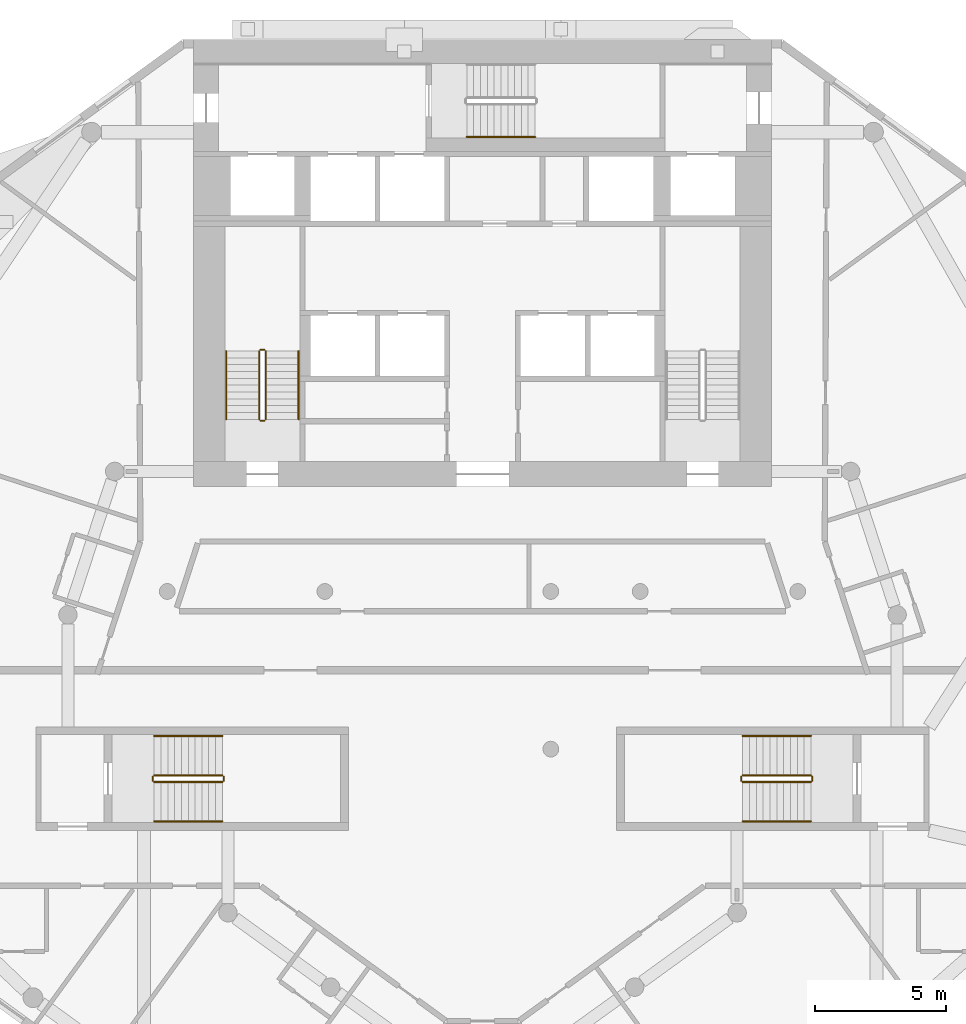
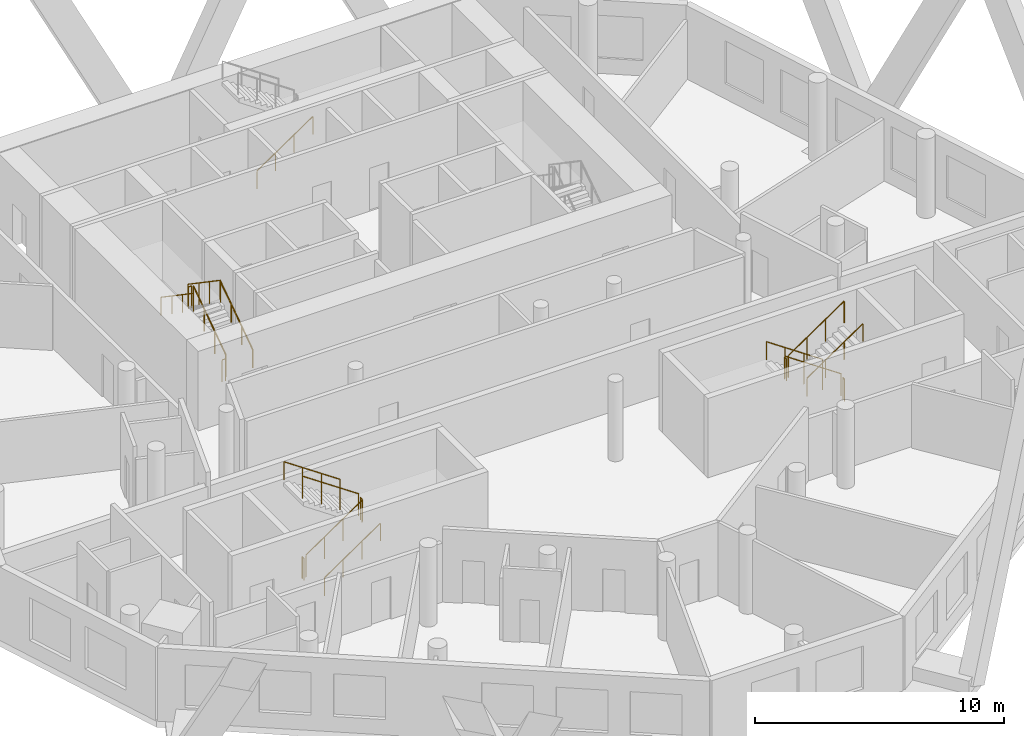
# One storey, part 9 of 10: 19 railings.
"""IFC4 building model written with IfcOpenShell, lengths in metres."""

from ifc_helpers import new_model, si_unit, direction, frame, origin, origin_2d, place, context, subcontext, project, spatial, circle, extrude, material, type_object, element, save


model = new_model("IFC4")

# Units and contexts
model_context = context("Model", 3, precision=1e-05, world=origin(), true_north=direction((0.0, 1.0)))
body_context = subcontext(model_context, "Body", "Model", "MODEL_VIEW")
ifc_project = project(units=[si_unit("LENGTHUNIT", "METRE"), si_unit("AREAUNIT", "SQUARE_METRE"), si_unit("VOLUMEUNIT", "CUBIC_METRE"), si_unit("PLANEANGLEUNIT", "RADIAN"), si_unit("MASSUNIT", "GRAM", prefix="KILO")], contexts=[model_context])

# Site, building, storey
site_placement = place(None, origin())
site = spatial("IfcSite", under=ifc_project, at=site_placement, CompositionType="ELEMENT")
building_placement = place(site_placement, origin())
building = spatial("IfcBuilding", under=site, at=building_placement, Name="White Candle Pilgrim Tower", CompositionType="ELEMENT")
storey_placement = place(building_placement, frame((0.0, 0.0, 172.0)))
storey = spatial("IfcBuildingStorey", under=building, at=storey_placement, Name="L39", CompositionType="ELEMENT", Elevation=172.0)

# Railings
ifc_material = material(Name="Stainless steel", Category="steel")
railing_type_1 = type_object("IfcRailingType", Name="Stair guard stainless steel 1100 mm", PredefinedType="GUARDRAIL", material=ifc_material)
railing_1_placement = place(storey_placement, frame((61.75, 73.550048828125, 0.17724609375)))
element("IfcRailing", 1, at=railing_1_placement, inside=storey, type_object=railing_type_1, Name="L39 ST1 stair guard 1", PredefinedType="GUARDRAIL", context=body_context, shape_type="SweptSolid", body=[
    extrude(circle(Radius=0.02392578125, at=origin_2d()), frame((0.0, 0.0, 1.076171875), z_axis=(0.0, 0.826215852431, 0.563353676824), x_axis=(-1.0, 0.0, 0.0)), (0.0, 0.0, 1.0), 3.146728515625),
    extrude(circle(Radius=0.02099609375, at=origin_2d()), origin(), (0.0, 0.0, 1.0), 1.052001953125),
    extrude(circle(Radius=0.02099609375, at=origin_2d()), frame((0.0, 0.86669921875, 0.5908203125)), (0.0, 0.0, 1.0), 1.052001953125),
    extrude(circle(Radius=0.02099609375, at=origin_2d()), frame((0.0, 1.733154296875, 1.181884765625)), (0.0, 0.0, 1.0), 1.052001953125),
    extrude(circle(Radius=0.02099609375, at=origin_2d()), frame((0.0, 2.599853515625, 1.772705078125)), (0.0, 0.0, 1.0), 1.052001953125),
])
railing_2_placement = place(storey_placement, frame((61.699951171875, 76.199951171875, 1.949951171875)))
element("IfcRailing", 2, at=railing_2_placement, inside=storey, type_object=railing_type_1, Name="L39 ST1 stair guard 2", PredefinedType="GUARDRAIL", context=body_context, shape_type="SweptSolid", body=[
    extrude(circle(Radius=0.02392578125, at=origin_2d()), frame((0.0, 0.0, 1.076171875), z_axis=(-1.0, 0.0, 0.0), x_axis=(0.0, -1.0, 0.0)), (0.0, 0.0, 1.0), 0.14990234375),
    extrude(circle(Radius=0.02099609375, at=origin_2d()), origin(), (0.0, 0.0, 1.0), 1.052001953125),
    extrude(circle(Radius=0.02099609375, at=origin_2d()), frame((-0.14990234375, 0.0, 0.0)), (0.0, 0.0, 1.0), 1.052001953125),
])
railing_3_placement = place(storey_placement, frame((61.5, 76.14990234375, 2.127197265625)))
element("IfcRailing", 3, at=railing_3_placement, inside=storey, type_object=railing_type_1, Name="L39 ST1 stair guard 3", PredefinedType="GUARDRAIL", context=body_context, shape_type="SweptSolid", body=[
    extrude(circle(Radius=0.02392578125, at=origin_2d()), frame((0.0, 0.0, 1.076171875), z_axis=(0.0, -0.826215852431, 0.563353676824), x_axis=(1.0, 0.0, 0.0)), (0.0, 0.0, 1.0), 3.146728515625),
    extrude(circle(Radius=0.02099609375, at=origin_2d()), origin(), (0.0, 0.0, 1.0), 1.052001953125),
    extrude(circle(Radius=0.02099609375, at=origin_2d()), frame((0.0, -0.86669921875, 0.5908203125)), (0.0, 0.0, 1.0), 1.052001953125),
    extrude(circle(Radius=0.02099609375, at=origin_2d()), frame((0.0, -1.733154296875, 1.181884765625)), (0.0, 0.0, 1.0), 1.052001953125),
    extrude(circle(Radius=0.02099609375, at=origin_2d()), frame((0.0, -2.599853515625, 1.772705078125)), (0.0, 0.0, 1.0), 1.052001953125),
])
railing_4_placement = place(storey_placement, frame((61.699951171875, 73.5, 0.0)))
element("IfcRailing", 4, at=railing_4_placement, inside=storey, type_object=railing_type_1, Name="L39 ST1 stair guard 4", PredefinedType="GUARDRAIL", context=body_context, shape_type="SweptSolid", body=[
    extrude(circle(Radius=0.02392578125, at=origin_2d()), frame((0.0, 0.0, 1.076171875), z_axis=(-1.0, 0.0, 0.0), x_axis=(0.0, -1.0, 0.0)), (0.0, 0.0, 1.0), 0.14990234375),
    extrude(circle(Radius=0.02099609375, at=origin_2d()), origin(), (0.0, 0.0, 1.0), 1.052001953125),
    extrude(circle(Radius=0.02099609375, at=origin_2d()), frame((-0.14990234375, 0.0, 0.0)), (0.0, 0.0, 1.0), 1.052001953125),
])
railing_5_placement = place(storey_placement, frame((82.5, 60.0, 0.17724609375)))
element("IfcRailing", 5, at=railing_5_placement, inside=storey, type_object=railing_type_1, Name="L39 ST4 stair guard 1", PredefinedType="GUARDRAIL", context=body_context, shape_type="SweptSolid", body=[
    extrude(circle(Radius=0.02392578125, at=origin_2d()), frame((0.0, 0.0, 1.076171875), z_axis=(-0.826240473404, 0.0, 0.563317565952), x_axis=(0.0, -1.0, 0.0)), (0.0, 0.0, 1.0), 3.14697265625),
    extrude(circle(Radius=0.02099609375, at=origin_2d()), origin(), (0.0, 0.0, 1.0), 1.052001953125),
    extrude(circle(Radius=0.02099609375, at=origin_2d()), frame((-0.86669921875, 0.0, 0.5908203125)), (0.0, 0.0, 1.0), 1.052001953125),
    extrude(circle(Radius=0.02099609375, at=origin_2d()), frame((-1.7333984375, 0.0, 1.181884765625)), (0.0, 0.0, 1.0), 1.052001953125),
    extrude(circle(Radius=0.02099609375, at=origin_2d()), frame((-2.60009765625, 0.0, 1.772705078125)), (0.0, 0.0, 1.0), 1.052001953125),
])
railing_6_placement = place(storey_placement, frame((79.85009765625, 59.949951171875, 1.949951171875)))
element("IfcRailing", 6, at=railing_6_placement, inside=storey, type_object=railing_type_1, Name="L39 ST4 stair guard 2", PredefinedType="GUARDRAIL", context=body_context, shape_type="SweptSolid", body=[
    extrude(circle(Radius=0.02392578125, at=origin_2d()), frame((0.0, 0.0, 1.076171875), z_axis=(0.0, -1.0, 0.0), x_axis=(1.0, 0.0, 0.0)), (0.0, 0.0, 1.0), 0.14990234375),
    extrude(circle(Radius=0.02099609375, at=origin_2d()), origin(), (0.0, 0.0, 1.0), 1.052001953125),
    extrude(circle(Radius=0.02099609375, at=origin_2d()), frame((0.0, -0.14990234375, 0.0)), (0.0, 0.0, 1.0), 1.052001953125),
])
railing_7_placement = place(storey_placement, frame((79.89990234375, 59.75, 2.127197265625)))
element("IfcRailing", 7, at=railing_7_placement, inside=storey, type_object=railing_type_1, Name="L39 ST4 stair guard 3", PredefinedType="GUARDRAIL", context=body_context, shape_type="SweptSolid", body=[
    extrude(circle(Radius=0.02392578125, at=origin_2d()), frame((0.0, 0.0, 1.076171875), z_axis=(0.826240473404, 0.0, 0.563317565952), x_axis=(0.0, 1.0, 0.0)), (0.0, 0.0, 1.0), 3.14697265625),
    extrude(circle(Radius=0.02099609375, at=origin_2d()), origin(), (0.0, 0.0, 1.0), 1.052001953125),
    extrude(circle(Radius=0.02099609375, at=origin_2d()), frame((0.86669921875, 0.0, 0.5908203125)), (0.0, 0.0, 1.0), 1.052001953125),
    extrude(circle(Radius=0.02099609375, at=origin_2d()), frame((1.7333984375, 0.0, 1.181884765625)), (0.0, 0.0, 1.0), 1.052001953125),
    extrude(circle(Radius=0.02099609375, at=origin_2d()), frame((2.60009765625, 0.0, 1.772705078125)), (0.0, 0.0, 1.0), 1.052001953125),
])
railing_8_placement = place(storey_placement, frame((82.550048828125, 59.949951171875, 0.0)))
element("IfcRailing", 8, at=railing_8_placement, inside=storey, type_object=railing_type_1, Name="L39 ST4 stair guard 4", PredefinedType="GUARDRAIL", context=body_context, shape_type="SweptSolid", body=[
    extrude(circle(Radius=0.02392578125, at=origin_2d()), frame((0.0, 0.0, 1.076171875), z_axis=(0.0, -1.0, 0.0), x_axis=(1.0, 0.0, 0.0)), (0.0, 0.0, 1.0), 0.14990234375),
    extrude(circle(Radius=0.02099609375, at=origin_2d()), origin(), (0.0, 0.0, 1.0), 1.052001953125),
    extrude(circle(Radius=0.02099609375, at=origin_2d()), frame((0.0, -0.14990234375, 0.0)), (0.0, 0.0, 1.0), 1.052001953125),
])
railing_9_placement = place(storey_placement, frame((57.5, 59.75, 0.17724609375)))
element("IfcRailing", 9, at=railing_9_placement, inside=storey, type_object=railing_type_1, Name="L39 ST5 stair guard 1", PredefinedType="GUARDRAIL", context=body_context, shape_type="SweptSolid", body=[
    extrude(circle(Radius=0.02392578125, at=origin_2d()), frame((0.0, 0.0, 1.076171875), z_axis=(0.826240473404, 0.0, 0.563317565952), x_axis=(0.0, 1.0, 0.0)), (0.0, 0.0, 1.0), 3.14697265625),
    extrude(circle(Radius=0.02099609375, at=origin_2d()), origin(), (0.0, 0.0, 1.0), 1.052001953125),
    extrude(circle(Radius=0.02099609375, at=origin_2d()), frame((0.86669921875, 0.0, 0.5908203125)), (0.0, 0.0, 1.0), 1.052001953125),
    extrude(circle(Radius=0.02099609375, at=origin_2d()), frame((1.7333984375, 0.0, 1.181884765625)), (0.0, 0.0, 1.0), 1.052001953125),
    extrude(circle(Radius=0.02099609375, at=origin_2d()), frame((2.60009765625, 0.0, 1.772705078125)), (0.0, 0.0, 1.0), 1.052001953125),
])
railing_10_placement = place(storey_placement, frame((60.14990234375, 59.800048828125, 1.949951171875)))
element("IfcRailing", 10, at=railing_10_placement, inside=storey, type_object=railing_type_1, Name="L39 ST5 stair guard 2", PredefinedType="GUARDRAIL", context=body_context, shape_type="SweptSolid", body=[
    extrude(circle(Radius=0.02392578125, at=origin_2d()), frame((0.0, 0.0, 1.076171875), z_axis=(0.0, 1.0, 0.0), x_axis=(-1.0, 0.0, 0.0)), (0.0, 0.0, 1.0), 0.14990234375),
    extrude(circle(Radius=0.02099609375, at=origin_2d()), origin(), (0.0, 0.0, 1.0), 1.052001953125),
    extrude(circle(Radius=0.02099609375, at=origin_2d()), frame((0.0, 0.14990234375, 0.0)), (0.0, 0.0, 1.0), 1.052001953125),
])
railing_11_placement = place(storey_placement, frame((60.10009765625, 60.0, 2.127197265625)))
element("IfcRailing", 11, at=railing_11_placement, inside=storey, type_object=railing_type_1, Name="L39 ST5 stair guard 3", PredefinedType="GUARDRAIL", context=body_context, shape_type="SweptSolid", body=[
    extrude(circle(Radius=0.02392578125, at=origin_2d()), frame((0.0, 0.0, 1.076171875), z_axis=(-0.826240473404, 0.0, 0.563317565952), x_axis=(0.0, -1.0, 0.0)), (0.0, 0.0, 1.0), 3.14697265625),
    extrude(circle(Radius=0.02099609375, at=origin_2d()), origin(), (0.0, 0.0, 1.0), 1.052001953125),
    extrude(circle(Radius=0.02099609375, at=origin_2d()), frame((-0.86669921875, 0.0, 0.5908203125)), (0.0, 0.0, 1.0), 1.052001953125),
    extrude(circle(Radius=0.02099609375, at=origin_2d()), frame((-1.7333984375, 0.0, 1.181884765625)), (0.0, 0.0, 1.0), 1.052001953125),
    extrude(circle(Radius=0.02099609375, at=origin_2d()), frame((-2.60009765625, 0.0, 1.772705078125)), (0.0, 0.0, 1.0), 1.052001953125),
])
railing_12_placement = place(storey_placement, frame((57.449951171875, 59.800048828125, 0.0)))
element("IfcRailing", 12, at=railing_12_placement, inside=storey, type_object=railing_type_1, Name="L39 ST5 stair guard 4", PredefinedType="GUARDRAIL", context=body_context, shape_type="SweptSolid", body=[
    extrude(circle(Radius=0.02392578125, at=origin_2d()), frame((0.0, 0.0, 1.076171875), z_axis=(0.0, 1.0, 0.0), x_axis=(-1.0, 0.0, 0.0)), (0.0, 0.0, 1.0), 0.14990234375),
    extrude(circle(Radius=0.02099609375, at=origin_2d()), origin(), (0.0, 0.0, 1.0), 1.052001953125),
    extrude(circle(Radius=0.02099609375, at=origin_2d()), frame((0.0, 0.14990234375, 0.0)), (0.0, 0.0, 1.0), 1.052001953125),
])
railing_type_2 = type_object("IfcRailingType", Name="Stair handrail stainless steel", PredefinedType="HANDRAIL", material=ifc_material)
railing_13_placement = place(storey_placement, frame((63.0, 73.550048828125, 0.17724609375)))
element("IfcRailing", 13, at=railing_13_placement, inside=storey, type_object=railing_type_2, Name="L39 ST1 stair handrail 1", PredefinedType="HANDRAIL", context=body_context, shape_type="SweptSolid", body=[
    extrude(circle(Radius=0.02392578125, at=origin_2d()), frame((0.0, 0.0, 0.8759765625), z_axis=(0.0, 0.826215852431, 0.563353676824), x_axis=(-1.0, 0.0, 0.0)), (0.0, 0.0, 1.0), 3.146728515625),
    extrude(circle(Radius=0.02099609375, at=origin_2d()), origin(), (0.0, 0.0, 1.0), 0.851806640625),
    extrude(circle(Radius=0.02099609375, at=origin_2d()), frame((0.0, 0.86669921875, 0.5908203125)), (0.0, 0.0, 1.0), 0.851806640625),
    extrude(circle(Radius=0.02099609375, at=origin_2d()), frame((0.0, 1.733154296875, 1.181884765625)), (0.0, 0.0, 1.0), 0.851806640625),
    extrude(circle(Radius=0.02099609375, at=origin_2d()), frame((0.0, 2.599853515625, 1.772705078125)), (0.0, 0.0, 1.0), 0.851806640625),
])
railing_14_placement = place(storey_placement, frame((60.25, 76.14990234375, 2.127197265625)))
element("IfcRailing", 14, at=railing_14_placement, inside=storey, type_object=railing_type_2, Name="L39 ST1 stair handrail 2", PredefinedType="HANDRAIL", context=body_context, shape_type="SweptSolid", body=[
    extrude(circle(Radius=0.02392578125, at=origin_2d()), frame((0.0, 0.0, 0.8759765625), z_axis=(0.0, -0.826215852431, 0.563353676824), x_axis=(1.0, 0.0, 0.0)), (0.0, 0.0, 1.0), 3.146728515625),
    extrude(circle(Radius=0.02099609375, at=origin_2d()), origin(), (0.0, 0.0, 1.0), 0.851806640625),
    extrude(circle(Radius=0.02099609375, at=origin_2d()), frame((0.0, -0.86669921875, 0.5908203125)), (0.0, 0.0, 1.0), 0.851806640625),
    extrude(circle(Radius=0.02099609375, at=origin_2d()), frame((0.0, -1.733154296875, 1.181884765625)), (0.0, 0.0, 1.0), 0.851806640625),
    extrude(circle(Radius=0.02099609375, at=origin_2d()), frame((0.0, -2.599853515625, 1.772705078125)), (0.0, 0.0, 1.0), 0.851806640625),
])
railing_15_placement = place(storey_placement, frame((69.39990234375, 84.300048828125, 0.17724609375)))
element("IfcRailing", 15, at=railing_15_placement, inside=storey, type_object=railing_type_2, Name="L39 ST3 stair handrail 1", PredefinedType="HANDRAIL", context=body_context, shape_type="SweptSolid", body=[
    extrude(circle(Radius=0.02392578125, at=origin_2d()), frame((0.0, 0.0, 0.8759765625), z_axis=(0.826240473404, 0.0, 0.563317565952), x_axis=(0.0, 1.0, 0.0)), (0.0, 0.0, 1.0), 3.14697265625),
    extrude(circle(Radius=0.02099609375, at=origin_2d()), origin(), (0.0, 0.0, 1.0), 0.851806640625),
    extrude(circle(Radius=0.02099609375, at=origin_2d()), frame((0.86669921875, 0.0, 0.5908203125)), (0.0, 0.0, 1.0), 0.851806640625),
    extrude(circle(Radius=0.02099609375, at=origin_2d()), frame((1.7333984375, 0.0, 1.181884765625)), (0.0, 0.0, 1.0), 0.851806640625),
    extrude(circle(Radius=0.02099609375, at=origin_2d()), frame((2.60009765625, 0.0, 1.772705078125)), (0.0, 0.0, 1.0), 0.851806640625),
])
railing_16_placement = place(storey_placement, frame((82.5, 61.5, 0.17724609375)))
element("IfcRailing", 16, at=railing_16_placement, inside=storey, type_object=railing_type_2, Name="L39 ST4 stair handrail 1", PredefinedType="HANDRAIL", context=body_context, shape_type="SweptSolid", body=[
    extrude(circle(Radius=0.02392578125, at=origin_2d()), frame((0.0, 0.0, 0.8759765625), z_axis=(-0.826240473404, 0.0, 0.563317565952), x_axis=(0.0, -1.0, 0.0)), (0.0, 0.0, 1.0), 3.14697265625),
    extrude(circle(Radius=0.02099609375, at=origin_2d()), origin(), (0.0, 0.0, 1.0), 0.851806640625),
    extrude(circle(Radius=0.02099609375, at=origin_2d()), frame((-0.86669921875, 0.0, 0.5908203125)), (0.0, 0.0, 1.0), 0.851806640625),
    extrude(circle(Radius=0.02099609375, at=origin_2d()), frame((-1.7333984375, 0.0, 1.181884765625)), (0.0, 0.0, 1.0), 0.851806640625),
    extrude(circle(Radius=0.02099609375, at=origin_2d()), frame((-2.60009765625, 0.0, 1.772705078125)), (0.0, 0.0, 1.0), 0.851806640625),
])
for number, where, name in (
    (17, (79.89990234375, 58.25, 2.127197265625), "L39 ST4 stair handrail 2"),
    (18, (57.5, 58.25, 0.17724609375), "L39 ST5 stair handrail 1"),
):
    element("IfcRailing", number, at=place(storey_placement, frame(where)), inside=storey, type_object=railing_type_2, Name=name, PredefinedType="HANDRAIL", context=body_context, shape_type="SweptSolid", body=[
        extrude(circle(Radius=0.02392578125, at=origin_2d()), frame((0.0, 0.0, 0.8759765625), z_axis=(0.826240473404, 0.0, 0.563317565952), x_axis=(0.0, 1.0, 0.0)), (0.0, 0.0, 1.0), 3.14697265625),
        extrude(circle(Radius=0.02099609375, at=origin_2d()), origin(), (0.0, 0.0, 1.0), 0.851806640625),
        extrude(circle(Radius=0.02099609375, at=origin_2d()), frame((0.86669921875, 0.0, 0.5908203125)), (0.0, 0.0, 1.0), 0.851806640625),
        extrude(circle(Radius=0.02099609375, at=origin_2d()), frame((1.7333984375, 0.0, 1.181884765625)), (0.0, 0.0, 1.0), 0.851806640625),
        extrude(circle(Radius=0.02099609375, at=origin_2d()), frame((2.60009765625, 0.0, 1.772705078125)), (0.0, 0.0, 1.0), 0.851806640625),
    ])
railing_17_placement = place(storey_placement, frame((60.10009765625, 61.5, 2.127197265625)))
element("IfcRailing", 19, at=railing_17_placement, inside=storey, type_object=railing_type_2, Name="L39 ST5 stair handrail 2", PredefinedType="HANDRAIL", context=body_context, shape_type="SweptSolid", body=[
    extrude(circle(Radius=0.02392578125, at=origin_2d()), frame((0.0, 0.0, 0.8759765625), z_axis=(-0.826240473404, 0.0, 0.563317565952), x_axis=(0.0, -1.0, 0.0)), (0.0, 0.0, 1.0), 3.14697265625),
    extrude(circle(Radius=0.02099609375, at=origin_2d()), origin(), (0.0, 0.0, 1.0), 0.851806640625),
    extrude(circle(Radius=0.02099609375, at=origin_2d()), frame((-0.86669921875, 0.0, 0.5908203125)), (0.0, 0.0, 1.0), 0.851806640625),
    extrude(circle(Radius=0.02099609375, at=origin_2d()), frame((-1.7333984375, 0.0, 1.181884765625)), (0.0, 0.0, 1.0), 0.851806640625),
    extrude(circle(Radius=0.02099609375, at=origin_2d()), frame((-2.60009765625, 0.0, 1.772705078125)), (0.0, 0.0, 1.0), 0.851806640625),
])

save(model, "model.ifc")
